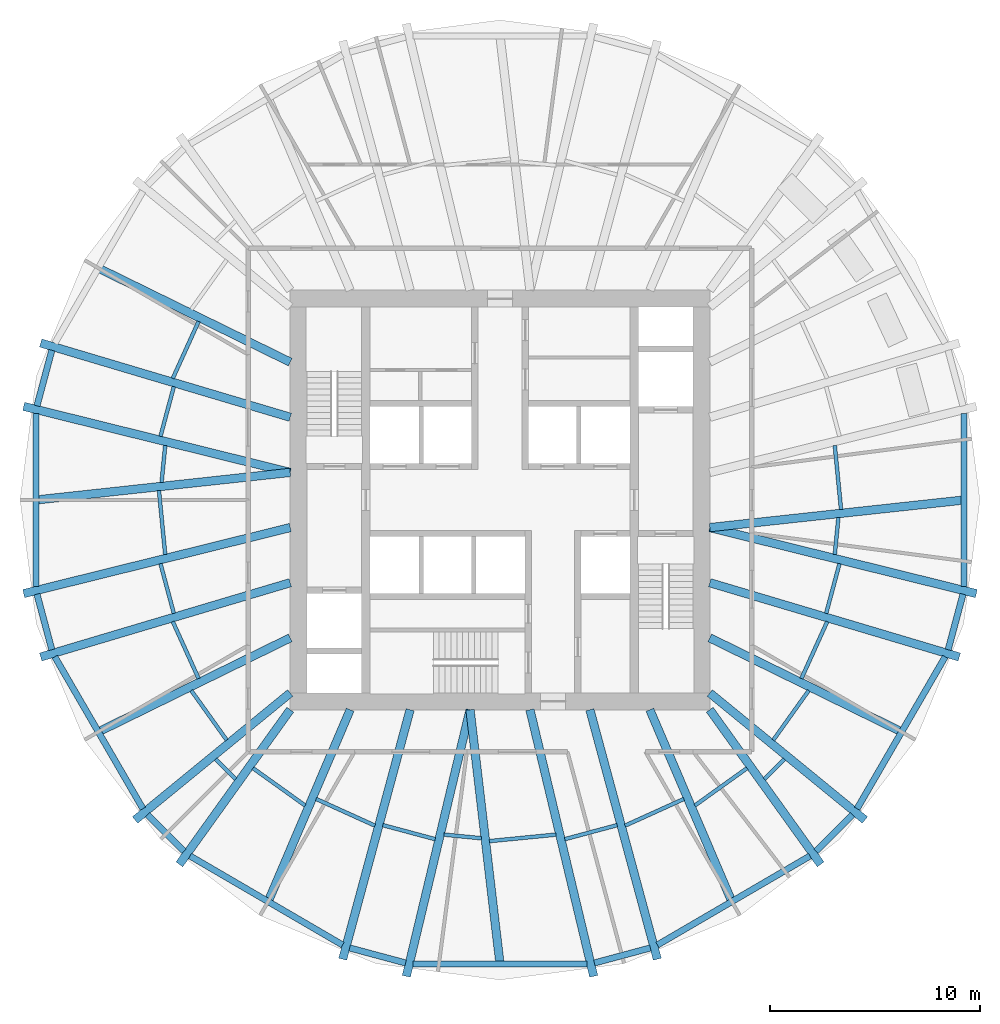
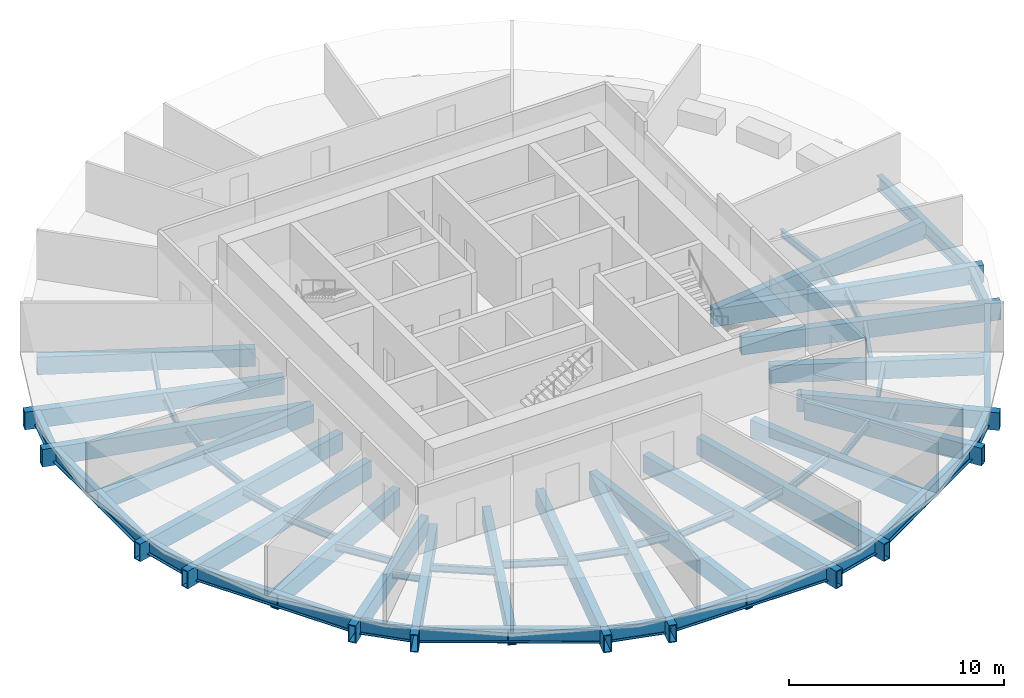
# One storey, part 1 of 7: 58 beams.
"""IFC4 building model written with IfcOpenShell, lengths in metres."""

from ifc_helpers import new_model, si_unit, direction, frame, origin, origin_2d, place, context, subcontext, project, spatial, hollow_rectangle, i_section, extrude, material, material_profile, profile_set, type_object, element, save


model = new_model("IFC4")

# Units and contexts
model_context = context("Model", 3, precision=1e-05, world=origin(), true_north=direction((0.0, 1.0)))
body_context = subcontext(model_context, "Body", "Model", "MODEL_VIEW")
ifc_project = project(units=[si_unit("LENGTHUNIT", "METRE"), si_unit("AREAUNIT", "SQUARE_METRE"), si_unit("VOLUMEUNIT", "CUBIC_METRE"), si_unit("PLANEANGLEUNIT", "RADIAN"), si_unit("MASSUNIT", "GRAM", prefix="KILO")], contexts=[model_context])

# Site, building, storey
site_placement = place(None, origin())
site = spatial("IfcSite", under=ifc_project, at=site_placement, CompositionType="ELEMENT")
building_placement = place(site_placement, origin())
building = spatial("IfcBuilding", under=site, at=building_placement, Name="Golbaran Civic Tower", CompositionType="ELEMENT")
storey_placement = place(building_placement, frame((0.0, 0.0, 41.0)))
storey = spatial("IfcBuildingStorey", under=building, at=storey_placement, Name="L09", CompositionType="ELEMENT", Elevation=41.0)

# Beams
ifc_material = material(Name="Steel S355", Category="steel")
ifc_material_profile_1 = material_profile(ifc_material, i_section(OverallWidth=0.300048828125, OverallDepth=0.800048828125, WebThickness=0.017578125, FlangeThickness=0.032958984375, FilletRadius=0.030029296875, at=origin_2d()), Name="HEB 800")
ifc_profile_set_1 = profile_set([ifc_material_profile_1], Name="Steel S355")
beam_type_1 = type_object("IfcBeamType", Name="EDGE BEAM HEB 800", PredefinedType="BEAM", material=ifc_profile_set_1)
beam_1_placement = place(storey_placement, frame((-21.362060546875, 7.137451171875, -0.60009765625), z_axis=(-0.258638144049, -0.965974280425, 0.0), x_axis=(0.965974280425, -0.258638144049, 0.0)))
element("IfcBeam", 1, at=beam_1_placement, inside=storey, type_object=beam_type_1, Name="Edge beam 161.19 L09", PredefinedType="BEAM", context=body_context, shape_type="SweptSolid", body=[
    extrude(i_section(OverallWidth=0.300048828125, OverallDepth=0.800048828125, WebThickness=0.017578125, FlangeThickness=0.032958984375, FilletRadius=0.030029296875, at=origin_2d()), origin(), (0.0, 0.0, 1.0), 2.7412109375),
])
beam_2_placement = place(storey_placement, frame((-22.117431640625, 4.130126953125, -0.60009765625), z_axis=(0.0, -1.0, 0.0), x_axis=(1.0, 0.0, 0.0)))
element("IfcBeam", 2, at=beam_2_placement, inside=storey, type_object=beam_type_1, Name="Edge beam 168.81 L09", PredefinedType="BEAM", context=body_context, shape_type="SweptSolid", body=[
    extrude(i_section(OverallWidth=0.300048828125, OverallDepth=0.800048828125, WebThickness=0.017578125, FlangeThickness=0.032958984375, FilletRadius=0.030029296875, at=origin_2d()), origin(), (0.0, 0.0, 1.0), 8.26025390625),
])
beam_3_placement = place(storey_placement, frame((-22.071044921875, -4.489501953125, -0.60009765625), z_axis=(0.258638144049, -0.965974280425, 0.0), x_axis=(0.965974280425, 0.258638144049, 0.0)))
element("IfcBeam", 3, at=beam_3_placement, inside=storey, type_object=beam_type_1, Name="Edge beam 191.19 L09", PredefinedType="BEAM", context=body_context, shape_type="SweptSolid", body=[
    extrude(i_section(OverallWidth=0.300048828125, OverallDepth=0.800048828125, WebThickness=0.017578125, FlangeThickness=0.032958984375, FilletRadius=0.030029296875, at=origin_2d()), origin(), (0.0, 0.0, 1.0), 2.7412109375),
])
beam_4_placement = place(storey_placement, frame((-21.22265625, -7.471435546875, -0.60009765625), z_axis=(0.50172114433, -0.865029417611, 0.0), x_axis=(0.865029417611, 0.50172114433, 0.0)))
element("IfcBeam", 4, at=beam_4_placement, inside=storey, type_object=beam_type_1, Name="Edge beam 198.81 L09", PredefinedType="BEAM", context=body_context, shape_type="SweptSolid", body=[
    extrude(i_section(OverallWidth=0.300048828125, OverallDepth=0.800048828125, WebThickness=0.017578125, FlangeThickness=0.032958984375, FilletRadius=0.030029296875, at=origin_2d()), origin(), (0.0, 0.0, 1.0), 8.373046875),
])
beam_5_placement = place(storey_placement, frame((-16.802490234375, -15.000244140625, -0.60009765625), z_axis=(0.705868721941, -0.708342676525, 0.0), x_axis=(0.708342676525, 0.705868721941, 0.0)))
element("IfcBeam", 5, at=beam_5_placement, inside=storey, type_object=beam_type_1, Name="Edge beam 221.19 L09", PredefinedType="BEAM", context=body_context, shape_type="SweptSolid", body=[
    extrude(i_section(OverallWidth=0.300048828125, OverallDepth=0.800048828125, WebThickness=0.017578125, FlangeThickness=0.032958984375, FilletRadius=0.030029296875, at=origin_2d()), origin(), (0.0, 0.0, 1.0), 2.467041015625),
])
beam_6_placement = place(storey_placement, frame((-14.776123046875, -16.96826171875, -0.60009765625), z_axis=(0.863782055537, -0.503865617534, 0.0), x_axis=(0.503865617534, 0.863782055537, 0.0)))
element("IfcBeam", 6, at=beam_6_placement, inside=storey, type_object=beam_type_1, Name="Edge beam 228.81 L09", PredefinedType="BEAM", context=body_context, shape_type="SweptSolid", body=[
    extrude(i_section(OverallWidth=0.300048828125, OverallDepth=0.800048828125, WebThickness=0.017578125, FlangeThickness=0.032958984375, FilletRadius=0.030029296875, at=origin_2d()), origin(), (0.0, 0.0, 1.0), 8.420654296875),
])
beam_7_placement = place(storey_placement, frame((-7.16748046875, -21.351806640625, -0.60009765625), z_axis=(0.965735952786, -0.259526625797, 0.0), x_axis=(0.259526625797, 0.965735952786, 0.0)))
element("IfcBeam", 7, at=beam_7_placement, inside=storey, type_object=beam_type_1, Name="Edge beam 251.19 L09", PredefinedType="BEAM", context=body_context, shape_type="SweptSolid", body=[
    extrude(i_section(OverallWidth=0.300048828125, OverallDepth=0.800048828125, WebThickness=0.017578125, FlangeThickness=0.032958984375, FilletRadius=0.030029296875, at=origin_2d()), origin(), (0.0, 0.0, 1.0), 2.762939453125),
])
beam_8_placement = place(storey_placement, frame((-4.140380859375, -22.115478515625, -0.60009765625), z_axis=(1.0, 0.0, 0.0), x_axis=(0.0, 1.0, 0.0)))
element("IfcBeam", 8, at=beam_8_placement, inside=storey, type_object=beam_type_1, Name="Edge beam 258.81 L09", PredefinedType="BEAM", context=body_context, shape_type="SweptSolid", body=[
    extrude(i_section(OverallWidth=0.300048828125, OverallDepth=0.800048828125, WebThickness=0.017578125, FlangeThickness=0.032958984375, FilletRadius=0.030029296875, at=origin_2d()), origin(), (0.0, 0.0, 1.0), 8.28076171875),
])
beam_9_placement = place(storey_placement, frame((4.499267578125, -22.06884765625, -0.60009765625), z_axis=(0.965735952786, 0.259526625797, 0.0), x_axis=(-0.259526625797, 0.965735952786, 0.0)))
element("IfcBeam", 9, at=beam_9_placement, inside=storey, type_object=beam_type_1, Name="Edge beam 281.19 L09", PredefinedType="BEAM", context=body_context, shape_type="SweptSolid", body=[
    extrude(i_section(OverallWidth=0.300048828125, OverallDepth=0.800048828125, WebThickness=0.017578125, FlangeThickness=0.032958984375, FilletRadius=0.030029296875, at=origin_2d()), origin(), (0.0, 0.0, 1.0), 2.762939453125),
])
beam_10_placement = place(storey_placement, frame((7.50244140625, -21.211181640625, -0.60009765625), z_axis=(0.863782055537, 0.503865617534, 0.0), x_axis=(-0.503865617534, 0.863782055537, 0.0)))
element("IfcBeam", 10, at=beam_10_placement, inside=storey, type_object=beam_type_1, Name="Edge beam 288.81 L09", PredefinedType="BEAM", context=body_context, shape_type="SweptSolid", body=[
    extrude(i_section(OverallWidth=0.300048828125, OverallDepth=0.800048828125, WebThickness=0.017578125, FlangeThickness=0.032958984375, FilletRadius=0.030029296875, at=origin_2d()), origin(), (0.0, 0.0, 1.0), 8.420654296875),
])
beam_11_placement = place(storey_placement, frame((15.06103515625, -16.747802734375, -0.60009765625), z_axis=(0.705868721941, 0.708342676525, 0.0), x_axis=(-0.708342676525, 0.705868721941, 0.0)))
element("IfcBeam", 11, at=beam_11_placement, inside=storey, type_object=beam_type_1, Name="Edge beam 311.19 L09", PredefinedType="BEAM", context=body_context, shape_type="SweptSolid", body=[
    extrude(i_section(OverallWidth=0.300048828125, OverallDepth=0.800048828125, WebThickness=0.017578125, FlangeThickness=0.032958984375, FilletRadius=0.030029296875, at=origin_2d()), origin(), (0.0, 0.0, 1.0), 2.467041015625),
])
beam_12_placement = place(storey_placement, frame((17.021728515625, -14.71435546875, -0.60009765625), z_axis=(0.50172114433, 0.865029417611, 0.0), x_axis=(-0.865029417611, 0.50172114433, 0.0)))
element("IfcBeam", 12, at=beam_12_placement, inside=storey, type_object=beam_type_1, Name="Edge beam 318.81 L09", PredefinedType="BEAM", context=body_context, shape_type="SweptSolid", body=[
    extrude(i_section(OverallWidth=0.300048828125, OverallDepth=0.800048828125, WebThickness=0.017578125, FlangeThickness=0.032958984375, FilletRadius=0.030029296875, at=origin_2d()), origin(), (0.0, 0.0, 1.0), 8.373046875),
])
beam_13_placement = place(storey_placement, frame((21.362060546875, -7.137451171875, -0.60009765625), z_axis=(0.258638144049, 0.965974280425, 0.0), x_axis=(-0.965974280425, 0.258638144049, 0.0)))
element("IfcBeam", 13, at=beam_13_placement, inside=storey, type_object=beam_type_1, Name="Edge beam 341.19 L09", PredefinedType="BEAM", context=body_context, shape_type="SweptSolid", body=[
    extrude(i_section(OverallWidth=0.300048828125, OverallDepth=0.800048828125, WebThickness=0.017578125, FlangeThickness=0.032958984375, FilletRadius=0.030029296875, at=origin_2d()), origin(), (0.0, 0.0, 1.0), 2.7412109375),
])
beam_14_placement = place(storey_placement, frame((22.117431640625, -4.130126953125, -0.60009765625), z_axis=(0.0, 1.0, 0.0), x_axis=(-1.0, 0.0, 0.0)))
element("IfcBeam", 14, at=beam_14_placement, inside=storey, type_object=beam_type_1, Name="Edge beam 348.81 L09", PredefinedType="BEAM", context=body_context, shape_type="SweptSolid", body=[
    extrude(i_section(OverallWidth=0.300048828125, OverallDepth=0.800048828125, WebThickness=0.017578125, FlangeThickness=0.032958984375, FilletRadius=0.030029296875, at=origin_2d()), origin(), (0.0, 0.0, 1.0), 8.26025390625),
])
ifc_material_profile_2 = material_profile(ifc_material, i_section(OverallWidth=0.179931640625, OverallDepth=0.39990234375, WebThickness=0.008544921875, FlangeThickness=0.013427734375, FilletRadius=0.02099609375, at=origin_2d()), Name="IPE 400")
ifc_profile_set_2 = profile_set([ifc_material_profile_2], Name="Steel S355")
beam_type_2 = type_object("IfcBeamType", Name="FLOOR INFILL BEAM IPE 400", PredefinedType="BEAM", material=ifc_profile_set_2)
beam_15_placement = place(storey_placement, frame((16.25732421875, -0.45458984375, -0.39990234375), z_axis=(-0.097458813947, 0.995239558892, 0.0), x_axis=(-0.995239558892, -0.097458813947, 0.0)))
element("IfcBeam", 15, at=beam_15_placement, inside=storey, type_object=beam_type_2, Name="Infill beam 5.60 L09", PredefinedType="BEAM", context=body_context, shape_type="SweptSolid", body=[
    extrude(i_section(OverallWidth=0.179931640625, OverallDepth=0.39990234375, WebThickness=0.008544921875, FlangeThickness=0.013427734375, FilletRadius=0.02099609375, at=origin_2d()), origin(), (0.0, 0.0, 1.0), 3.07373046875),
])
beam_16_placement = place(storey_placement, frame((-14.3662109375, 8.5107421875, -0.39990234375), z_axis=(-0.413142393839, -0.910666438611, 0.0), x_axis=(0.910666438611, -0.413142393839, 0.0)))
element("IfcBeam", 16, at=beam_16_placement, inside=storey, type_object=beam_type_2, Name="Infill beam 155.60 L09", PredefinedType="BEAM", context=body_context, shape_type="SweptSolid", body=[
    extrude(i_section(OverallWidth=0.179931640625, OverallDepth=0.39990234375, WebThickness=0.008544921875, FlangeThickness=0.013427734375, FilletRadius=0.02099609375, at=origin_2d()), origin(), (0.0, 0.0, 1.0), 2.97998046875),
])
beam_17_placement = place(storey_placement, frame((-15.54736328125, 5.406494140625, -0.39990234375), z_axis=(-0.258830374631, -0.96592279048, 0.0), x_axis=(0.96592279048, -0.258830374631, 0.0)))
element("IfcBeam", 17, at=beam_17_placement, inside=storey, type_object=beam_type_2, Name="Infill beam 165.00 L09", PredefinedType="BEAM", context=body_context, shape_type="SweptSolid", body=[
    extrude(i_section(OverallWidth=0.179931640625, OverallDepth=0.39990234375, WebThickness=0.008544921875, FlangeThickness=0.013427734375, FilletRadius=0.02099609375, at=origin_2d()), origin(), (0.0, 0.0, 1.0), 2.458984375),
])
beam_18_placement = place(storey_placement, frame((-15.957763671875, 2.6044921875, -0.39990234375), z_axis=(-0.097510248906, -0.995234520783, 0.0), x_axis=(0.995234520783, -0.097510248906, 0.0)))
element("IfcBeam", 18, at=beam_18_placement, inside=storey, type_object=beam_type_2, Name="Infill beam 174.40 L09", PredefinedType="BEAM", context=body_context, shape_type="SweptSolid", body=[
    extrude(i_section(OverallWidth=0.179931640625, OverallDepth=0.39990234375, WebThickness=0.008544921875, FlangeThickness=0.013427734375, FilletRadius=0.02099609375, at=origin_2d()), origin(), (0.0, 0.0, 1.0), 1.78271484375),
])
beam_19_placement = place(storey_placement, frame((-16.25732421875, 0.45458984375, -0.39990234375), z_axis=(0.097458813947, -0.995239558892, 0.0), x_axis=(0.995239558892, 0.097458813947, 0.0)))
element("IfcBeam", 19, at=beam_19_placement, inside=storey, type_object=beam_type_2, Name="Infill beam 185.60 L09", PredefinedType="BEAM", context=body_context, shape_type="SweptSolid", body=[
    extrude(i_section(OverallWidth=0.179931640625, OverallDepth=0.39990234375, WebThickness=0.008544921875, FlangeThickness=0.013427734375, FilletRadius=0.02099609375, at=origin_2d()), origin(), (0.0, 0.0, 1.0), 3.07373046875),
])
beam_20_placement = place(storey_placement, frame((-16.183837890625, -3.03125, -0.39990234375), z_axis=(0.258830374631, -0.96592279048, 0.0), x_axis=(0.96592279048, 0.258830374631, 0.0)))
element("IfcBeam", 20, at=beam_20_placement, inside=storey, type_object=beam_type_2, Name="Infill beam 195.00 L09", PredefinedType="BEAM", context=body_context, shape_type="SweptSolid", body=[
    extrude(i_section(OverallWidth=0.179931640625, OverallDepth=0.39990234375, WebThickness=0.008544921875, FlangeThickness=0.013427734375, FilletRadius=0.02099609375, at=origin_2d()), origin(), (0.0, 0.0, 1.0), 2.458984375),
])
beam_21_placement = place(storey_placement, frame((-15.597412109375, -5.796875, -0.39990234375), z_axis=(0.413142393839, -0.910666438611, 0.0), x_axis=(0.910666438611, 0.413142393839, 0.0)))
element("IfcBeam", 21, at=beam_21_placement, inside=storey, type_object=beam_type_2, Name="Infill beam 204.40 L09", PredefinedType="BEAM", context=body_context, shape_type="SweptSolid", body=[
    extrude(i_section(OverallWidth=0.179931640625, OverallDepth=0.39990234375, WebThickness=0.008544921875, FlangeThickness=0.013427734375, FilletRadius=0.02099609375, at=origin_2d()), origin(), (0.0, 0.0, 1.0), 2.97998046875),
])
beam_22_placement = place(storey_placement, frame((-14.7158203125, -9.083251953125, -0.39990234375), z_axis=(0.582065148857, -0.813142153922, 0.0), x_axis=(0.813142153922, 0.582065148857, 0.0)))
element("IfcBeam", 22, at=beam_22_placement, inside=storey, type_object=beam_type_2, Name="Infill beam 215.60 L09", PredefinedType="BEAM", context=body_context, shape_type="SweptSolid", body=[
    extrude(i_section(OverallWidth=0.179931640625, OverallDepth=0.39990234375, WebThickness=0.008544921875, FlangeThickness=0.013427734375, FilletRadius=0.02099609375, at=origin_2d()), origin(), (0.0, 0.0, 1.0), 2.9033203125),
])
beam_23_placement = place(storey_placement, frame((-13.55810546875, -12.3447265625, -0.39990234375), z_axis=(0.707017211642, -0.707196339387, 0.0), x_axis=(0.707196339387, 0.707017211642, 0.0)))
element("IfcBeam", 23, at=beam_23_placement, inside=storey, type_object=beam_type_2, Name="Infill beam 225.00 L09", PredefinedType="BEAM", context=body_context, shape_type="SweptSolid", body=[
    extrude(i_section(OverallWidth=0.179931640625, OverallDepth=0.39990234375, WebThickness=0.008544921875, FlangeThickness=0.013427734375, FilletRadius=0.02099609375, at=origin_2d()), origin(), (0.0, 0.0, 1.0), 1.363037109375),
])
beam_24_placement = place(storey_placement, frame((-11.774658203125, -12.783203125, -0.39990234375), z_axis=(0.813144773342, -0.582061489523, 0.0), x_axis=(0.582061489523, 0.813144773342, 0.0)))
element("IfcBeam", 24, at=beam_24_placement, inside=storey, type_object=beam_type_2, Name="Infill beam 234.40 L09", PredefinedType="BEAM", context=body_context, shape_type="SweptSolid", body=[
    extrude(i_section(OverallWidth=0.179931640625, OverallDepth=0.39990234375, WebThickness=0.008544921875, FlangeThickness=0.013427734375, FilletRadius=0.02099609375, at=origin_2d()), origin(), (0.0, 0.0, 1.0), 3.056396484375),
])
beam_25_placement = place(storey_placement, frame((-8.764892578125, -14.25146484375, -0.39990234375), z_axis=(0.910654469419, -0.413168775838, 0.0), x_axis=(0.413168775838, 0.910654469419, 0.0)))
element("IfcBeam", 25, at=beam_25_placement, inside=storey, type_object=beam_type_2, Name="Infill beam 245.60 L09", PredefinedType="BEAM", context=body_context, shape_type="SweptSolid", body=[
    extrude(i_section(OverallWidth=0.179931640625, OverallDepth=0.39990234375, WebThickness=0.008544921875, FlangeThickness=0.013427734375, FilletRadius=0.02099609375, at=origin_2d()), origin(), (0.0, 0.0, 1.0), 3.074951171875),
])
beam_26_placement = place(storey_placement, frame((-5.585693359375, -15.4990234375, -0.39990234375), z_axis=(0.965922339131, -0.258832059004, 0.0), x_axis=(0.258832059004, 0.965922339131, 0.0)))
element("IfcBeam", 26, at=beam_26_placement, inside=storey, type_object=beam_type_2, Name="Infill beam 255.00 L09", PredefinedType="BEAM", context=body_context, shape_type="SweptSolid", body=[
    extrude(i_section(OverallWidth=0.179931640625, OverallDepth=0.39990234375, WebThickness=0.008544921875, FlangeThickness=0.013427734375, FilletRadius=0.02099609375, at=origin_2d()), origin(), (0.0, 0.0, 1.0), 2.58544921875),
])
beam_27_placement = place(storey_placement, frame((-2.666259765625, -15.95068359375, -0.39990234375), z_axis=(0.995231385986, -0.097542238791, 0.0), x_axis=(0.097542238791, 0.995231385986, 0.0)))
element("IfcBeam", 27, at=beam_27_placement, inside=storey, type_object=beam_type_2, Name="Infill beam 264.40 L09", PredefinedType="BEAM", context=body_context, shape_type="SweptSolid", body=[
    extrude(i_section(OverallWidth=0.179931640625, OverallDepth=0.39990234375, WebThickness=0.008544921875, FlangeThickness=0.013427734375, FilletRadius=0.02099609375, at=origin_2d()), origin(), (0.0, 0.0, 1.0), 1.787109375),
])
beam_28_placement = place(storey_placement, frame((-0.509033203125, -16.26171875, -0.39990234375), z_axis=(0.995236680809, 0.097488200165, 0.0), x_axis=(-0.097488200165, 0.995236680809, 0.0)))
element("IfcBeam", 28, at=beam_28_placement, inside=storey, type_object=beam_type_2, Name="Infill beam 275.60 L09", PredefinedType="BEAM", context=body_context, shape_type="SweptSolid", body=[
    extrude(i_section(OverallWidth=0.179931640625, OverallDepth=0.39990234375, WebThickness=0.008544921875, FlangeThickness=0.013427734375, FilletRadius=0.02099609375, at=origin_2d()), origin(), (0.0, 0.0, 1.0), 3.1904296875),
])
beam_29_placement = place(storey_placement, frame((3.08837890625, -16.168212890625, -0.39990234375), z_axis=(0.965922339131, 0.258832059004, 0.0), x_axis=(-0.258832059004, 0.965922339131, 0.0)))
element("IfcBeam", 29, at=beam_29_placement, inside=storey, type_object=beam_type_2, Name="Infill beam 285.00 L09", PredefinedType="BEAM", context=body_context, shape_type="SweptSolid", body=[
    extrude(i_section(OverallWidth=0.179931640625, OverallDepth=0.39990234375, WebThickness=0.008544921875, FlangeThickness=0.013427734375, FilletRadius=0.02099609375, at=origin_2d()), origin(), (0.0, 0.0, 1.0), 2.58544921875),
])
beam_30_placement = place(storey_placement, frame((5.964599609375, -15.52197265625, -0.39990234375), z_axis=(0.910654469419, 0.413168775838, 0.0), x_axis=(-0.413168775838, 0.910654469419, 0.0)))
element("IfcBeam", 30, at=beam_30_placement, inside=storey, type_object=beam_type_2, Name="Infill beam 294.40 L09", PredefinedType="BEAM", context=body_context, shape_type="SweptSolid", body=[
    extrude(i_section(OverallWidth=0.179931640625, OverallDepth=0.39990234375, WebThickness=0.008544921875, FlangeThickness=0.013427734375, FilletRadius=0.02099609375, at=origin_2d()), origin(), (0.0, 0.0, 1.0), 3.074951171875),
])
beam_31_placement = place(storey_placement, frame((9.289306640625, -14.562255859375, -0.39990234375), z_axis=(0.813144773342, 0.582061489523, 0.0), x_axis=(-0.582061489523, 0.813144773342, 0.0)))
element("IfcBeam", 31, at=beam_31_placement, inside=storey, type_object=beam_type_2, Name="Infill beam 305.60 L09", PredefinedType="BEAM", context=body_context, shape_type="SweptSolid", body=[
    extrude(i_section(OverallWidth=0.179931640625, OverallDepth=0.39990234375, WebThickness=0.008544921875, FlangeThickness=0.013427734375, FilletRadius=0.02099609375, at=origin_2d()), origin(), (0.0, 0.0, 1.0), 3.056396484375),
])
beam_32_placement = place(storey_placement, frame((12.594482421875, -13.30859375, -0.39990234375), z_axis=(0.707017211642, 0.707196339387, 0.0), x_axis=(-0.707196339387, 0.707017211642, 0.0)))
element("IfcBeam", 32, at=beam_32_placement, inside=storey, type_object=beam_type_2, Name="Infill beam 315.00 L09", PredefinedType="BEAM", context=body_context, shape_type="SweptSolid", body=[
    extrude(i_section(OverallWidth=0.179931640625, OverallDepth=0.39990234375, WebThickness=0.008544921875, FlangeThickness=0.013427734375, FilletRadius=0.02099609375, at=origin_2d()), origin(), (0.0, 0.0, 1.0), 1.363037109375),
])
beam_33_placement = place(storey_placement, frame((13.02587890625, -11.444091796875, -0.39990234375), z_axis=(0.582065148857, 0.813142153922, 0.0), x_axis=(-0.813142153922, 0.582065148857, 0.0)))
element("IfcBeam", 33, at=beam_33_placement, inside=storey, type_object=beam_type_2, Name="Infill beam 324.40 L09", PredefinedType="BEAM", context=body_context, shape_type="SweptSolid", body=[
    extrude(i_section(OverallWidth=0.179931640625, OverallDepth=0.39990234375, WebThickness=0.008544921875, FlangeThickness=0.013427734375, FilletRadius=0.02099609375, at=origin_2d()), origin(), (0.0, 0.0, 1.0), 2.9033203125),
])
beam_34_placement = place(storey_placement, frame((14.3662109375, -8.5107421875, -0.39990234375), z_axis=(0.413142393839, 0.910666438611, 0.0), x_axis=(-0.910666438611, 0.413142393839, 0.0)))
element("IfcBeam", 34, at=beam_34_placement, inside=storey, type_object=beam_type_2, Name="Infill beam 335.60 L09", PredefinedType="BEAM", context=body_context, shape_type="SweptSolid", body=[
    extrude(i_section(OverallWidth=0.179931640625, OverallDepth=0.39990234375, WebThickness=0.008544921875, FlangeThickness=0.013427734375, FilletRadius=0.02099609375, at=origin_2d()), origin(), (0.0, 0.0, 1.0), 2.97998046875),
])
beam_35_placement = place(storey_placement, frame((15.54736328125, -5.406494140625, -0.39990234375), z_axis=(0.258830374631, 0.96592279048, 0.0), x_axis=(-0.96592279048, 0.258830374631, 0.0)))
element("IfcBeam", 35, at=beam_35_placement, inside=storey, type_object=beam_type_2, Name="Infill beam 345.00 L09", PredefinedType="BEAM", context=body_context, shape_type="SweptSolid", body=[
    extrude(i_section(OverallWidth=0.179931640625, OverallDepth=0.39990234375, WebThickness=0.008544921875, FlangeThickness=0.013427734375, FilletRadius=0.02099609375, at=origin_2d()), origin(), (0.0, 0.0, 1.0), 2.458984375),
])
beam_36_placement = place(storey_placement, frame((15.957763671875, -2.6044921875, -0.39990234375), z_axis=(0.097510248906, 0.995234520783, 0.0), x_axis=(-0.995234520783, 0.097510248906, 0.0)))
element("IfcBeam", 36, at=beam_36_placement, inside=storey, type_object=beam_type_2, Name="Infill beam 354.40 L09", PredefinedType="BEAM", context=body_context, shape_type="SweptSolid", body=[
    extrude(i_section(OverallWidth=0.179931640625, OverallDepth=0.39990234375, WebThickness=0.008544921875, FlangeThickness=0.013427734375, FilletRadius=0.02099609375, at=origin_2d()), origin(), (0.0, 0.0, 1.0), 1.78271484375),
])
ifc_material_profile_3 = material_profile(ifc_material, hollow_rectangle(XDim=0.39990234375, YDim=1.0, WallThickness=0.050048828125, at=origin_2d()), Name="BOX 1000x400x50")
ifc_profile_set_3 = profile_set([ifc_material_profile_3], Name="Steel S355")
beam_type_3 = type_object("IfcBeamType", Name="RADIAL FLOOR BEAM BOX 1000x400x50", PredefinedType="BEAM", material=ifc_profile_set_3)
beam_37_placement = place(storey_placement, frame((-10.0, 3.94287109375, -0.7099609375), z_axis=(-0.958432738692, 0.285318568276, 0.0), x_axis=(-0.285318568276, -0.958432738692, 0.0)))
element("IfcBeam", 37, at=beam_37_placement, inside=storey, type_object=beam_type_3, Name="Radial beam 161.19 L09", PredefinedType="BEAM", context=body_context, shape_type="SweptSolid", body=[
    extrude(hollow_rectangle(XDim=0.39990234375, YDim=1.0, WallThickness=0.050048828125, at=origin_2d()), origin(), (0.0, 0.0, 1.0), 12.409912109375),
])
for number, where, z_axis, x_axis, name in (
    (38, (-10.0, 1.314208984375, -0.7099609375), (-0.97067018193, 0.24041505342, 0.0), (-0.24041505342, -0.97067018193, 0.0), "Radial beam 168.81 L09"),
    (39, (-10.0, -1.314208984375, -0.7099609375), (-0.97067018193, -0.24041505342, 0.0), (0.24041505342, -0.97067018193, 0.0), "Radial beam 191.19 L09"),
):
    element("IfcBeam", number, at=place(storey_placement, frame(where, z_axis=z_axis, x_axis=x_axis)), inside=storey, type_object=beam_type_3, Name=name, PredefinedType="BEAM", context=body_context, shape_type="SweptSolid", body=[
        extrude(hollow_rectangle(XDim=0.39990234375, YDim=1.0, WallThickness=0.050048828125, at=origin_2d()), origin(), (0.0, 0.0, 1.0), 13.087646484375),
    ])
beam_38_placement = place(storey_placement, frame((-10.0, -3.94287109375, -0.7099609375), z_axis=(-0.958432738692, -0.285318568276, 0.0), x_axis=(0.285318568276, -0.958432738692, 0.0)))
element("IfcBeam", 40, at=beam_38_placement, inside=storey, type_object=beam_type_3, Name="Radial beam 198.81 L09", PredefinedType="BEAM", context=body_context, shape_type="SweptSolid", body=[
    extrude(hollow_rectangle(XDim=0.39990234375, YDim=1.0, WallThickness=0.050048828125, at=origin_2d()), origin(), (0.0, 0.0, 1.0), 12.409912109375),
])
beam_39_placement = place(storey_placement, frame((-10.0, -9.199951171875, -0.7099609375), z_axis=(-0.77385713329, -0.63336019551, 0.0), x_axis=(0.63336019551, -0.77385713329, 0.0)))
element("IfcBeam", 41, at=beam_39_placement, inside=storey, type_object=beam_type_3, Name="Radial beam 221.19 L09", PredefinedType="BEAM", context=body_context, shape_type="SweptSolid", body=[
    extrude(hollow_rectangle(XDim=0.39990234375, YDim=1.0, WallThickness=0.050048828125, at=origin_2d()), origin(), (0.0, 0.0, 1.0), 9.557373046875),
])
beam_40_placement = place(storey_placement, frame((-10.0, -10.0, -0.7099609375), z_axis=(-0.58278844235, -0.812623917605, 0.0), x_axis=(0.812623917605, -0.58278844235, 0.0)))
element("IfcBeam", 42, at=beam_40_placement, inside=storey, type_object=beam_type_3, Name="Radial beam 228.81 L09", PredefinedType="BEAM", context=body_context, shape_type="SweptSolid", body=[
    extrude(hollow_rectangle(XDim=0.39990234375, YDim=1.0, WallThickness=0.050048828125, at=origin_2d()), origin(), (0.0, 0.0, 1.0), 9.066162109375),
])
beam_41_placement = place(storey_placement, frame((-4.28564453125, -10.0, -0.7099609375), z_axis=(-0.260929495755, -0.965357860197, 0.0), x_axis=(0.965357860197, -0.260929495755, 0.0)))
element("IfcBeam", 43, at=beam_41_placement, inside=storey, type_object=beam_type_3, Name="Radial beam 251.19 L09", PredefinedType="BEAM", context=body_context, shape_type="SweptSolid", body=[
    extrude(hollow_rectangle(XDim=0.39990234375, YDim=1.0, WallThickness=0.050048828125, at=origin_2d()), origin(), (0.0, 0.0, 1.0), 12.316162109375),
])
for number, where, z_axis, x_axis, name in (
    (44, (-1.428466796875, -10.0, -0.7099609375), (-0.232556300315, -0.97258293589, 0.0), (0.97258293589, -0.232556300315, 0.0), "Radial beam 258.81 L09"),
    (45, (1.428466796875, -10.0, -0.7099609375), (0.232556300315, -0.97258293589, 0.0), (0.97258293589, 0.232556300315, 0.0), "Radial beam 281.19 L09"),
):
    element("IfcBeam", number, at=place(storey_placement, frame(where, z_axis=z_axis, x_axis=x_axis)), inside=storey, type_object=beam_type_3, Name=name, PredefinedType="BEAM", context=body_context, shape_type="SweptSolid", body=[
        extrude(hollow_rectangle(XDim=0.39990234375, YDim=1.0, WallThickness=0.050048828125, at=origin_2d()), origin(), (0.0, 0.0, 1.0), 13.060791015625),
    ])
beam_42_placement = place(storey_placement, frame((4.28564453125, -10.0, -0.7099609375), z_axis=(0.260929495755, -0.965357860197, 0.0), x_axis=(0.965357860197, 0.260929495755, 0.0)))
element("IfcBeam", 46, at=beam_42_placement, inside=storey, type_object=beam_type_3, Name="Radial beam 288.81 L09", PredefinedType="BEAM", context=body_context, shape_type="SweptSolid", body=[
    extrude(hollow_rectangle(XDim=0.39990234375, YDim=1.0, WallThickness=0.050048828125, at=origin_2d()), origin(), (0.0, 0.0, 1.0), 12.316162109375),
])
beam_43_placement = place(storey_placement, frame((10.0, -10.0, -0.7099609375), z_axis=(0.58278844235, -0.812623917605, 0.0), x_axis=(0.812623917605, 0.58278844235, 0.0)))
element("IfcBeam", 47, at=beam_43_placement, inside=storey, type_object=beam_type_3, Name="Radial beam 311.19 L09", PredefinedType="BEAM", context=body_context, shape_type="SweptSolid", body=[
    extrude(hollow_rectangle(XDim=0.39990234375, YDim=1.0, WallThickness=0.050048828125, at=origin_2d()), origin(), (0.0, 0.0, 1.0), 9.066162109375),
])
beam_44_placement = place(storey_placement, frame((10.0, -9.199951171875, -0.7099609375), z_axis=(0.77385713329, -0.63336019551, 0.0), x_axis=(0.63336019551, 0.77385713329, 0.0)))
element("IfcBeam", 48, at=beam_44_placement, inside=storey, type_object=beam_type_3, Name="Radial beam 318.81 L09", PredefinedType="BEAM", context=body_context, shape_type="SweptSolid", body=[
    extrude(hollow_rectangle(XDim=0.39990234375, YDim=1.0, WallThickness=0.050048828125, at=origin_2d()), origin(), (0.0, 0.0, 1.0), 9.557373046875),
])
beam_45_placement = place(storey_placement, frame((10.0, -3.94287109375, -0.7099609375), z_axis=(0.958432738692, -0.285318568276, 0.0), x_axis=(0.285318568276, 0.958432738692, 0.0)))
element("IfcBeam", 49, at=beam_45_placement, inside=storey, type_object=beam_type_3, Name="Radial beam 341.19 L09", PredefinedType="BEAM", context=body_context, shape_type="SweptSolid", body=[
    extrude(hollow_rectangle(XDim=0.39990234375, YDim=1.0, WallThickness=0.050048828125, at=origin_2d()), origin(), (0.0, 0.0, 1.0), 12.409912109375),
])
beam_46_placement = place(storey_placement, frame((10.0, -1.314208984375, -0.7099609375), z_axis=(0.97067018193, -0.24041505342, 0.0), x_axis=(0.24041505342, 0.97067018193, 0.0)))
element("IfcBeam", 50, at=beam_46_placement, inside=storey, type_object=beam_type_3, Name="Radial beam 348.81 L09", PredefinedType="BEAM", context=body_context, shape_type="SweptSolid", body=[
    extrude(hollow_rectangle(XDim=0.39990234375, YDim=1.0, WallThickness=0.050048828125, at=origin_2d()), origin(), (0.0, 0.0, 1.0), 13.087646484375),
])
ifc_material_profile_4 = material_profile(ifc_material, hollow_rectangle(XDim=0.39990234375, YDim=1.0, WallThickness=0.0400390625, at=origin_2d()), Name="BOX 1000x400x40")
ifc_profile_set_4 = profile_set([ifc_material_profile_4], Name="Steel S355")
beam_type_4 = type_object("IfcBeamType", Name="SECONDARY FLOOR BEAM BOX 1000x400x40", PredefinedType="BEAM", material=ifc_profile_set_4)
beam_47_placement = place(storey_placement, frame((10.0, -1.314208984375, -0.7099609375), z_axis=(0.994170022872, 0.107823771143, 0.0), x_axis=(-0.107823771143, 0.994170022872, 0.0)))
element("IfcBeam", 51, at=beam_47_placement, inside=storey, type_object=beam_type_4, Name="Secondary beam 0.00 L09", PredefinedType="BEAM", context=body_context, shape_type="SweptSolid", body=[
    extrude(hollow_rectangle(XDim=0.39990234375, YDim=1.0, WallThickness=0.0400390625, at=origin_2d()), origin(), (0.0, 0.0, 1.0), 12.1884765625),
])
beam_48_placement = place(storey_placement, frame((-10.0, 6.571533203125, -0.7099609375), z_axis=(-0.897956388499, 0.440084451387, 0.0), x_axis=(-0.440084451387, -0.897956388499, 0.0)))
element("IfcBeam", 52, at=beam_48_placement, inside=storey, type_object=beam_type_4, Name="Secondary beam 150.00 L09", PredefinedType="BEAM", context=body_context, shape_type="SweptSolid", body=[
    extrude(hollow_rectangle(XDim=0.39990234375, YDim=1.0, WallThickness=0.0400390625, at=origin_2d()), origin(), (0.0, 0.0, 1.0), 10.184326171875),
])
beam_49_placement = place(storey_placement, frame((-10.0, 1.314208984375, -0.7099609375), z_axis=(-0.994170022872, -0.107823771143, 0.0), x_axis=(0.107823771143, -0.994170022872, 0.0)))
element("IfcBeam", 53, at=beam_49_placement, inside=storey, type_object=beam_type_4, Name="Secondary beam 180.00 L09", PredefinedType="BEAM", context=body_context, shape_type="SweptSolid", body=[
    extrude(hollow_rectangle(XDim=0.39990234375, YDim=1.0, WallThickness=0.0400390625, at=origin_2d()), origin(), (0.0, 0.0, 1.0), 12.1884765625),
])
beam_50_placement = place(storey_placement, frame((-10.0, -6.571533203125, -0.7099609375), z_axis=(-0.897956388499, -0.440084451387, 0.0), x_axis=(0.440084451387, -0.897956388499, 0.0)))
element("IfcBeam", 54, at=beam_50_placement, inside=storey, type_object=beam_type_4, Name="Secondary beam 210.00 L09", PredefinedType="BEAM", context=body_context, shape_type="SweptSolid", body=[
    extrude(hollow_rectangle(XDim=0.39990234375, YDim=1.0, WallThickness=0.0400390625, at=origin_2d()), origin(), (0.0, 0.0, 1.0), 10.184326171875),
])
beam_51_placement = place(storey_placement, frame((-7.142822265625, -10.0, -0.7099609375), z_axis=(-0.393118908522, -0.919487641985, 0.0), x_axis=(0.919487641985, -0.393118908522, 0.0)))
element("IfcBeam", 55, at=beam_51_placement, inside=storey, type_object=beam_type_4, Name="Secondary beam 240.00 L09", PredefinedType="BEAM", context=body_context, shape_type="SweptSolid", body=[
    extrude(hollow_rectangle(XDim=0.39990234375, YDim=1.0, WallThickness=0.0400390625, at=origin_2d()), origin(), (0.0, 0.0, 1.0), 9.941650390625),
])
beam_52_placement = place(storey_placement, frame((-1.428466796875, -10.0, -0.7099609375), z_axis=(0.117093210218, -0.993120929253, 0.0), x_axis=(0.993120929253, 0.117093210218, 0.0)))
element("IfcBeam", 56, at=beam_52_placement, inside=storey, type_object=beam_type_4, Name="Secondary beam 270.00 L09", PredefinedType="BEAM", context=body_context, shape_type="SweptSolid", body=[
    extrude(hollow_rectangle(XDim=0.39990234375, YDim=1.0, WallThickness=0.0400390625, at=origin_2d()), origin(), (0.0, 0.0, 1.0), 12.199462890625),
])
beam_53_placement = place(storey_placement, frame((7.142822265625, -10.0, -0.7099609375), z_axis=(0.393118908522, -0.919487641985, 0.0), x_axis=(0.919487641985, 0.393118908522, 0.0)))
element("IfcBeam", 57, at=beam_53_placement, inside=storey, type_object=beam_type_4, Name="Secondary beam 300.00 L09", PredefinedType="BEAM", context=body_context, shape_type="SweptSolid", body=[
    extrude(hollow_rectangle(XDim=0.39990234375, YDim=1.0, WallThickness=0.0400390625, at=origin_2d()), origin(), (0.0, 0.0, 1.0), 9.941650390625),
])
beam_54_placement = place(storey_placement, frame((10.0, -6.571533203125, -0.7099609375), z_axis=(0.897956388499, -0.440084451387, 0.0), x_axis=(0.440084451387, 0.897956388499, 0.0)))
element("IfcBeam", 58, at=beam_54_placement, inside=storey, type_object=beam_type_4, Name="Secondary beam 330.00 L09", PredefinedType="BEAM", context=body_context, shape_type="SweptSolid", body=[
    extrude(hollow_rectangle(XDim=0.39990234375, YDim=1.0, WallThickness=0.0400390625, at=origin_2d()), origin(), (0.0, 0.0, 1.0), 10.184326171875),
])

save(model, "model.ifc")
